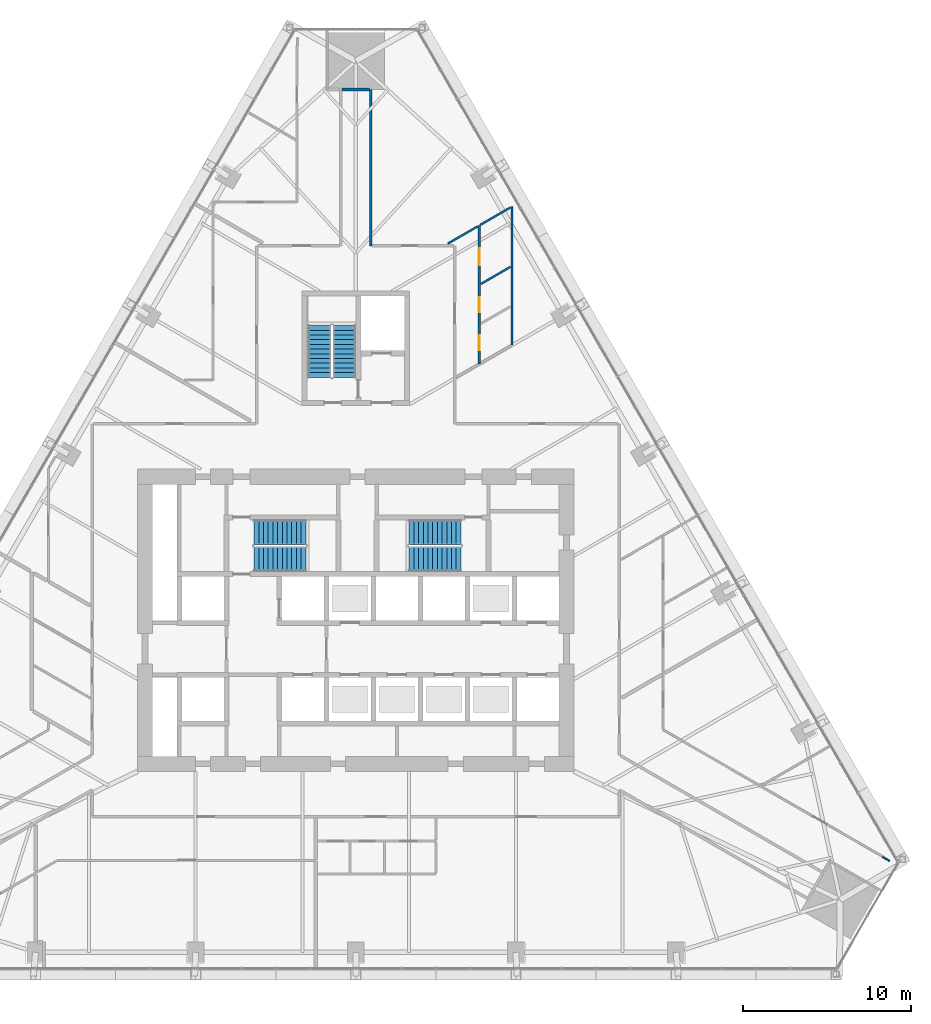
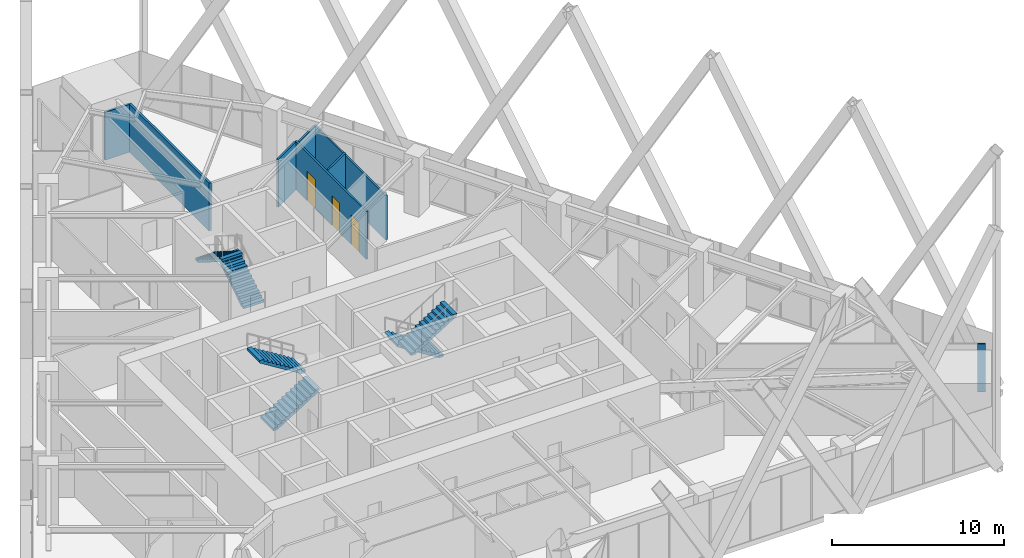
# One storey, part 21 of 23: 8 walls, 6 stair flights, 3 doors, 3 openings, 3 elements without a shape of their own.
"""IFC4 building model written with IfcOpenShell, lengths in metres."""

import ifcopenshell
import ifcopenshell.guid

model = None  # the IFC model being written
_history = None  # IfcOwnerHistory: only IFC2X3 demands one
_inside = {}  # id of a spatial element -> (the spatial element, [elements in it])
_under = {}  # id of a project, library or spatial element -> (it, [spatial elements below it])
_declared = {}  # id of a project -> (the project, [libraries it declares])
_typed = {}  # id of a type object -> (the type object, [elements of that type])
_made_of = {}  # id of a material, layer set ... -> (it, [elements and type objects made of it])


def new_model(schema):
    """Start an empty IFC model of exactly this schema.

    Asked for "IFC4X3", IfcOpenShell would pick the latest addendum, in which some entities
    have other attributes; the version numbers below select the first issue.
    IFC2X3 requires an IfcOwnerHistory on every rooted entity: one is made here for all.
    """
    global model, _history
    if schema == "IFC4X3":
        model = ifcopenshell.file(schema_version=(4, 3, 0, 0))
    else:
        model = ifcopenshell.file(schema=schema)
    _inside.clear()
    _under.clear()
    _declared.clear()
    _typed.clear()
    _made_of.clear()
    _history = None
    if model.schema == "IFC2X3":
        org = make("IfcOrganization", Name="unknown")
        user = make(
            "IfcPersonAndOrganization",
            ThePerson=make("IfcPerson", FamilyName="unknown"),
            TheOrganization=org,
        )
        app = make(
            "IfcApplication",
            ApplicationDeveloper=org,
            Version="unknown",
            ApplicationFullName="unknown",
            ApplicationIdentifier="unknown",
        )
        _history = make(
            "IfcOwnerHistory",
            OwningUser=user,
            OwningApplication=app,
            ChangeAction="ADDED",
            CreationDate=0,
        )
    return model


def make(cls, **values):
    """One entity of the class cls with the attributes given. An attribute that is None is left unset."""
    return model.create_entity(
        cls, **{name: value for name, value in values.items() if value is not None}
    )


def rooted(cls, **values):
    """An entity with a GlobalId (a new one), such as an element, a storey or a relation."""
    return make(cls, GlobalId=ifcopenshell.guid.new(), OwnerHistory=_history, **values)


def si_unit(unit_type, name, prefix=None):
    """IfcSIUnit, for example si_unit("LENGTHUNIT", "METRE", prefix="MILLI")."""
    return make("IfcSIUnit", UnitType=unit_type, Prefix=prefix, Name=name)


def assignment(units):
    """IfcUnitAssignment: the units of a project."""
    return None if units is None else make("IfcUnitAssignment", Units=units)


def point(xyz):
    """IfcCartesianPoint."""
    return None if xyz is None else make("IfcCartesianPoint", Coordinates=xyz)


def direction(xyz):
    """IfcDirection."""
    return None if xyz is None else make("IfcDirection", DirectionRatios=xyz)


def frame(location, z_axis=None, x_axis=None):
    """IfcAxis2Placement3D, a coordinate frame: its origin and axes. An axis left out is left unset."""
    return make(
        "IfcAxis2Placement3D",
        Location=point(location),
        Axis=direction(z_axis),
        RefDirection=direction(x_axis),
    )


def frame_2d(location, x_axis=None):
    """IfcAxis2Placement2D, a coordinate frame in the plane: its origin and x axis."""
    return make(
        "IfcAxis2Placement2D", Location=point(location), RefDirection=direction(x_axis)
    )


def origin():
    """The frame at (0, 0, 0) with its axes left unset."""
    return frame((0.0, 0.0, 0.0))


def place(relative_to, where):
    """IfcLocalPlacement: puts the frame where relative to a parent placement (None: the world)."""
    return make(
        "IfcLocalPlacement", PlacementRelTo=relative_to, RelativePlacement=where
    )


def context(
    kind, dimensions, precision=None, world=None, true_north=None, identifier=None
):
    """IfcGeometricRepresentationContext, for example the 3D "Model" context."""
    return make(
        "IfcGeometricRepresentationContext",
        ContextIdentifier=identifier,
        ContextType=kind,
        CoordinateSpaceDimension=dimensions,
        Precision=precision,
        WorldCoordinateSystem=world,
        TrueNorth=true_north,
    )


def subcontext(parent, identifier, kind, view, scale=None):
    """IfcGeometricRepresentationSubContext, for example "Body" below "Model"."""
    return make(
        "IfcGeometricRepresentationSubContext",
        ContextIdentifier=identifier,
        ContextType=kind,
        ParentContext=parent,
        TargetScale=scale,
        TargetView=view,
    )


def project(units=None, contexts=None):
    """IfcProject with its units and contexts."""
    return rooted(
        "IfcProject",
        Name="project",
        RepresentationContexts=contexts,
        UnitsInContext=assignment(units),
    )


def spatial(cls, under=None, at=None, **own):
    """A site, building, storey or space (cls), placed at a placement, below another one or the project."""
    s = rooted(cls, ObjectPlacement=at, **own)
    if under is not None:
        _under.setdefault(under.id(), (under, []))[1].append(s)
    return s


def polyline(points):
    """IfcPolyline through the points."""
    return make("IfcPolyline", Points=[point(p) for p in points])


def profile(cls, at=None, kind="AREA", **sizes):
    """A parametric profile (cls). Its sizes go by their IFC names, for example OverallWidth=200.0."""
    return make(cls, ProfileType=kind, Position=at, **sizes)


def rectangle(**sizes):
    """IfcRectangleProfileDef."""
    return profile("IfcRectangleProfileDef", **sizes)


def outline(outer, holes=None, kind="AREA"):
    """IfcArbitraryClosedProfileDef: a profile drawn as a closed curve; with holes, ...WithVoids."""
    if holes is None:
        return make("IfcArbitraryClosedProfileDef", ProfileType=kind, OuterCurve=outer)
    return make(
        "IfcArbitraryProfileDefWithVoids",
        ProfileType=kind,
        OuterCurve=outer,
        InnerCurves=holes,
    )


def extrude(swept, where, along, depth):
    """IfcExtrudedAreaSolid: the profile swept, set in the frame where, extruded along a direction by depth."""
    return make(
        "IfcExtrudedAreaSolid",
        SweptArea=swept,
        Position=where,
        ExtrudedDirection=direction(along),
        Depth=depth,
    )


def shape(context_of_items, identifier, shape_type, items):
    """IfcShapeRepresentation: the items that make up one representation, for example the "Body"."""
    return make(
        "IfcShapeRepresentation",
        ContextOfItems=context_of_items,
        RepresentationIdentifier=identifier,
        RepresentationType=shape_type,
        Items=items,
    )


def material(Name=None, Category=None):
    """IfcMaterial."""
    return make("IfcMaterial", Name=Name, Category=Category)


def layer(
    of_material, thickness, ventilated=None, Name=None, Category=None, Priority=None
):
    """IfcMaterialLayer: one layer of a wall or slab, of a material (None: an air gap)."""
    return make(
        "IfcMaterialLayer",
        Material=of_material,
        LayerThickness=thickness,
        IsVentilated=ventilated,
        Name=Name,
        Category=Category,
        Priority=Priority,
    )


def layer_set(layers, Name=None):
    """IfcMaterialLayerSet."""
    return make("IfcMaterialLayerSet", MaterialLayers=layers, LayerSetName=Name)


def made_of(thing, what):
    """Note that an element or type object is made of a material, layer set ...; save() writes the relation."""
    if what is not None:
        _made_of.setdefault(what.id(), (what, []))[1].append(thing)
    return thing


def type_object(cls, material=None, **own):
    """A type object (cls), such as IfcWallType, which elements share."""
    return made_of(rooted(cls, **own), material)


def element(
    cls,
    number,
    at=None,
    inside=None,
    cuts=None,
    type_object=None,
    material=None,
    context=None,
    identifier="Body",
    shape_type=None,
    held_by="IfcProductDefinitionShape",
    body=None,
    shapes=None,
    **own,
):
    """One element of the class cls, such as IfcWall. Its Tag is "e" and its number.

    at: its placement. inside: the storey or other place that contains it. cuts: it is an
    opening in that element (IfcRelVoidsElement). A single representation is given by context,
    identifier, shape_type and body (its items); several are given by shapes. held_by: the class
    of the entity that holds the representations. save() writes the other relations.
    """
    e = rooted(cls, Tag="e%d" % number, ObjectPlacement=at, **own)
    if body is not None:
        shapes = [shape(context, identifier, shape_type, body)]
    if shapes is not None:
        e.Representation = make(held_by, Representations=shapes)
    if inside is not None:
        _inside.setdefault(inside.id(), (inside, []))[1].append(e)
    if cuts is not None:
        rooted(
            "IfcRelVoidsElement", RelatingBuildingElement=cuts, RelatedOpeningElement=e
        )
    if type_object is not None:
        _typed.setdefault(type_object.id(), (type_object, []))[1].append(e)
    return made_of(e, material)


def fill(opening, filler):
    """IfcRelFillsElement: the door or window that sits in an opening."""
    return rooted(
        "IfcRelFillsElement",
        RelatingOpeningElement=opening,
        RelatedBuildingElement=filler,
    )


def aggregate(whole, parts):
    """IfcRelAggregates: a whole, such as a stair, and the parts it consists of."""
    return rooted("IfcRelAggregates", RelatingObject=whole, RelatedObjects=parts)


def save(model, path):
    """Write the relations noted so far, then the file.

    IfcRelAggregates (storeys below a building ...), IfcRelContainedInSpatialStructure (elements
    in a storey), IfcRelDefinesByType, IfcRelAssociatesMaterial and IfcRelDeclares: one each for
    every whole, place, type object, material and project.
    """
    for whole, parts in _under.values():
        aggregate(whole, parts)
    for where, things in _inside.values():
        rooted(
            "IfcRelContainedInSpatialStructure",
            RelatedElements=things,
            RelatingStructure=where,
        )
    for kind, things in _typed.values():
        rooted("IfcRelDefinesByType", RelatedObjects=things, RelatingType=kind)
    for what, things in _made_of.values():
        rooted("IfcRelAssociatesMaterial", RelatedObjects=things, RelatingMaterial=what)
    for by, libraries in _declared.values():
        rooted("IfcRelDeclares", RelatingContext=by, RelatedDefinitions=libraries)
    model.write(path)


model = new_model("IFC4")

# Units and contexts
model_context = context("Model", 3, precision=1e-05, world=origin(), true_north=direction((0.0, 1.0)))
body_context = subcontext(model_context, "Body", "Model", "MODEL_VIEW")
ifc_project = project(units=[si_unit("LENGTHUNIT", "METRE"), si_unit("AREAUNIT", "SQUARE_METRE"), si_unit("VOLUMEUNIT", "CUBIC_METRE"), si_unit("PLANEANGLEUNIT", "RADIAN"), si_unit("MASSUNIT", "GRAM", prefix="KILO")], contexts=[model_context])

# Site, building, storey
site_placement = place(None, origin())
site = spatial("IfcSite", under=ifc_project, at=site_placement, CompositionType="ELEMENT")
building_placement = place(site_placement, origin())
building = spatial("IfcBuilding", under=site, at=building_placement, Name="Firuza Gate Tower and Library", CompositionType="ELEMENT")
storey_placement = place(building_placement, frame((0.0, 0.0, 56.800048828125)))
storey = spatial("IfcBuildingStorey", under=building, at=storey_placement, Name="L12", CompositionType="ELEMENT", Elevation=56.800048828125)

# Walls
ifc_material_1 = material(Name="Gypsum board partition")
ifc_layer_1 = layer(ifc_material_1, 0.14990234375)
ifc_layer_set_1 = layer_set([ifc_layer_1], Name="Corridor wall 150 double board on steel studs")
wall_type_1 = type_object("IfcWallType", Name="Corridor wall 150 double board on steel studs", PredefinedType="PARTITIONING", material=ifc_layer_set_1)
wall_1_placement = place(storey_placement, frame((75.89990234375, 97.300048828125, 0.0), z_axis=(0.0, 0.0, 1.0), x_axis=(0.0, 1.0, 0.0)))
element("IfcWall", 1, at=wall_1_placement, inside=storey, type_object=wall_type_1, Name="f:L12:w036", PredefinedType="PARTITIONING", context=body_context, shape_type="SweptSolid", body=[
    extrude(rectangle(XDim=9.30615234375, YDim=0.14990234375, at=frame_2d((4.653076171875, 0.0))), origin(), (0.0, 0.0, 1.0), 3.39990234375),
])
wall_2_placement = place(storey_placement, frame((74.175048828125, 106.60693359375, 0.0), z_axis=(0.0, 0.0, 1.0), x_axis=(1.0, 0.0, 0.0)))
element("IfcWall", 2, at=wall_2_placement, inside=storey, type_object=wall_type_1, Name="f:L12:w068", PredefinedType="PARTITIONING", context=body_context, shape_type="SweptSolid", body=[
    extrude(rectangle(XDim=1.6494140625, YDim=0.14990234375, at=frame_2d((0.82470703125, 0.0))), origin(), (0.0, 0.0, 1.0), 3.39697265625),
])
ifc_material_2 = material(Name="Gypsum board partition")
ifc_layer_2 = layer(ifc_material_2, 0.10009765625)
ifc_layer_set_2 = layer_set([ifc_layer_2], Name="Partition 100 gypsum board on steel studs")
wall_type_2 = type_object("IfcWallType", Name="Partition 100 gypsum board on steel studs", PredefinedType="PARTITIONING", material=ifc_layer_set_2)
wall_3_placement = place(storey_placement, frame((106.774169921875, 60.6748046875, 0.0), z_axis=(0.0, 0.0, 1.0), x_axis=(-0.865979310119, 0.500079828073, 0.0)))
element("IfcWall", 3, at=wall_3_placement, inside=storey, type_object=wall_type_2, Name="f:L12:w058", PredefinedType="PARTITIONING", context=body_context, shape_type="SweptSolid", body=[
    extrude(rectangle(XDim=0.47314453125, YDim=0.10009765625, at=frame_2d((0.236572265625, 0.0))), origin(), (0.0, 0.0, 1.0), 3.39990234375),
])
ifc_material_3 = material(Name="Gypsum board partition")
ifc_layer_3 = layer(ifc_material_3, 0.1201171875)
ifc_layer_set_3 = layer_set([ifc_layer_3], Name="Wet-area partition 120 moisture-resistant board")
wall_type_3 = type_object("IfcWallType", Name="Wet-area partition 120 moisture-resistant board", PredefinedType="PARTITIONING", material=ifc_layer_set_3)
wall_4_placement = place(storey_placement, frame((82.4443359375, 95.0263671875, 0.0), z_axis=(0.0, 0.0, 1.0), x_axis=(0.866017611601, 0.500013496215, 0.0)))
element("IfcWall", 4, at=wall_4_placement, inside=storey, type_object=wall_type_3, Name="f:L12:w024", PredefinedType="PARTITIONING", context=body_context, shape_type="SweptSolid", body=[
    extrude(rectangle(XDim=2.033203125, YDim=0.1201171875, at=frame_2d((1.0166015625, 0.0))), origin(), (0.0, 0.0, 1.0), 3.39990234375),
])
wall_5_placement = place(storey_placement, frame((80.4794921875, 97.429931640625, 0.0), z_axis=(0.0, 0.0, 1.0), x_axis=(0.866057052383, 0.499945179012, 0.0)))
element("IfcWall", 5, at=wall_5_placement, inside=storey, type_object=wall_type_3, Name="f:L12:w025", PredefinedType="PARTITIONING", context=body_context, shape_type="SweptSolid", body=[
    extrude(rectangle(XDim=2.055908203125, YDim=0.1201171875, at=frame_2d((1.02783203125, 0.0))), origin(), (0.0, 0.0, 1.0), 3.39990234375),
])
wall_6_placement = place(storey_placement, frame((84.300048828125, 91.37890625, 0.0), z_axis=(0.0, 0.0, 1.0), x_axis=(0.0, 1.0, 0.0)))
element("IfcWall", 6, at=wall_6_placement, inside=storey, type_object=wall_type_3, Name="f:L12:w031", PredefinedType="PARTITIONING", context=body_context, shape_type="SweptSolid", body=[
    extrude(rectangle(XDim=8.255126953125, YDim=0.1201171875, at=frame_2d((4.12744140625, 0.0))), origin(), (0.0, 0.0, 1.0), 3.1650390625),
])

# Wall, openings, doors
wall_7_placement = place(storey_placement, frame((82.35009765625, 90.2529296875, 0.0), z_axis=(0.0, 0.0, 1.0), x_axis=(0.0, 1.0, 0.0)))
wall_7 = element("IfcWall", 7, at=wall_7_placement, inside=storey, type_object=wall_type_3, Name="f:L12:w032", PredefinedType="PARTITIONING", context=body_context, shape_type="SweptSolid", body=[
    extrude(rectangle(XDim=8.257080078125, YDim=0.1201171875, at=frame_2d((4.12841796875, 0.0))), origin(), (0.0, 0.0, 1.0), 3.39990234375),
])
opening_1_placement = place(wall_7_placement, frame((0.831298828125, 0.0, 0.0)))
opening_1 = element("IfcOpeningElement", 8, at=opening_1_placement, cuts=wall_7, Name="Opening L12-22", PredefinedType="OPENING", context=body_context, shape_type="SweptSolid", body=[
    extrude(rectangle(XDim=0.89990234375, YDim=2.10009765625, at=frame_2d((0.449951171875, 1.050048828125))), frame((0.0, 0.070068359375, 0.0), z_axis=(0.0, -1.0, 0.0), x_axis=(1.0, 0.0, 0.0)), (0.0, 0.0, 1.0), 0.14013671875),
])
opening_2_placement = place(wall_7_placement, frame((3.0888671875, 0.0, 0.0)))
opening_2 = element("IfcOpeningElement", 9, at=opening_2_placement, cuts=wall_7, Name="Opening L12-23", PredefinedType="OPENING", context=body_context, shape_type="SweptSolid", body=[
    extrude(rectangle(XDim=0.89990234375, YDim=2.10009765625, at=frame_2d((0.449951171875, 1.050048828125))), frame((0.0, 0.070068359375, 0.0), z_axis=(0.0, -1.0, 0.0), x_axis=(1.0, 0.0, 0.0)), (0.0, 0.0, 1.0), 0.14013671875),
])
opening_3_placement = place(wall_7_placement, frame((5.88623046875, 0.0, 0.0)))
opening_3 = element("IfcOpeningElement", 10, at=opening_3_placement, cuts=wall_7, Name="Opening L12-24", PredefinedType="OPENING", context=body_context, shape_type="SweptSolid", body=[
    extrude(rectangle(XDim=1.0, YDim=2.10009765625, at=frame_2d((0.5, 1.050048828125))), frame((0.0, 0.070068359375, 0.0), z_axis=(0.0, -1.0, 0.0), x_axis=(1.0, 0.0, 0.0)), (0.0, 0.0, 1.0), 0.14013671875),
])
ifc_material_4 = material(Name="Timber door", Category="wood")
door_type_1 = type_object("IfcDoorType", Name="Door 1000 x 2100 timber leaf", OperationType="NOTDEFINED", PredefinedType="DOOR", material=ifc_material_4)
door_1_placement = place(opening_3_placement, origin())
door_1 = element("IfcDoor", 11, at=door_1_placement, inside=storey, type_object=door_type_1, Name="f:L12:d024", OperationType="SINGLE_SWING_RIGHT", OverallHeight=2.10009765625, OverallWidth=1.0, PredefinedType="DOOR", context=body_context, shape_type="SweptSolid", body=[
    extrude(rectangle(XDim=1.0, YDim=2.10009765625, at=frame_2d((0.5, 1.050048828125))), frame((0.0, 0.02490234375, 0.0), z_axis=(0.0, -1.0, 0.0), x_axis=(1.0, 0.0, 0.0)), (0.0, 0.0, 1.0), 0.050048828125),
])
fill(opening_3, door_1)
ifc_material_5 = material(Name="Timber door", Category="wood")
door_type_2 = type_object("IfcDoorType", Name="Door 900 x 2100 timber leaf", OperationType="NOTDEFINED", PredefinedType="DOOR", material=ifc_material_5)
door_2_placement = place(opening_1_placement, origin())
door_2 = element("IfcDoor", 12, at=door_2_placement, inside=storey, type_object=door_type_2, Name="f:L12:d022", OperationType="SINGLE_SWING_RIGHT", OverallHeight=2.10009765625, OverallWidth=0.89990234375, PredefinedType="DOOR", context=body_context, shape_type="SweptSolid", body=[
    extrude(rectangle(XDim=0.89990234375, YDim=2.10009765625, at=frame_2d((0.449951171875, 1.050048828125))), frame((0.0, 0.02490234375, 0.0), z_axis=(0.0, -1.0, 0.0), x_axis=(1.0, 0.0, 0.0)), (0.0, 0.0, 1.0), 0.050048828125),
])
fill(opening_1, door_2)
door_3_placement = place(opening_2_placement, origin())
door_3 = element("IfcDoor", 13, at=door_3_placement, inside=storey, type_object=door_type_2, Name="f:L12:d023", OperationType="SINGLE_SWING_LEFT", OverallHeight=2.10009765625, OverallWidth=0.89990234375, PredefinedType="DOOR", context=body_context, shape_type="SweptSolid", body=[
    extrude(rectangle(XDim=0.89990234375, YDim=2.10009765625, at=frame_2d((0.449951171875, 1.050048828125))), frame((0.0, 0.02490234375, 0.0), z_axis=(0.0, -1.0, 0.0), x_axis=(1.0, 0.0, 0.0)), (0.0, 0.0, 1.0), 0.050048828125),
])
fill(opening_2, door_3)

# Wall
wall_8_placement = place(storey_placement, frame((82.39501953125, 98.535888671875, 0.0), z_axis=(0.0, 0.0, 1.0), x_axis=(0.866041603473, 0.499971940267, 0.0)))
element("IfcWall", 14, at=wall_8_placement, inside=storey, type_object=wall_type_3, Name="f:L12:w074", PredefinedType="PARTITIONING", context=body_context, shape_type="SweptSolid", body=[
    extrude(rectangle(XDim=2.08935546875, YDim=0.1201171875, at=frame_2d((1.044677734375, 0.0))), origin(), (0.0, 0.0, 1.0), 3.1650390625),
])

# Stair, stair flights
ifc_material_6 = material(Name="Concrete C35/45", Category="concrete")
stair_type_1 = type_object("IfcStairType", Name="Exit stair ST14", PredefinedType="HALF_TURN_STAIR", material=ifc_material_6)
placement = place(storey_placement, origin())
stair_1 = element("IfcStair", 15, at=placement, inside=storey, type_object=stair_type_1, Name="L12 Stair ST3", PredefinedType="HALF_TURN_STAIR")
ifc_material_7 = material(Name="Concrete C35/45", Category="concrete")
stair_flight_type_1 = type_object("IfcStairFlightType", Name="Stair flight 12 risers 175 width 1370", PredefinedType="STRAIGHT", material=ifc_material_7)
stair_flight_1_placement = place(storey_placement, frame((74.31494140625, 89.469970703125, 0.0), z_axis=(0.0, 0.0, 1.0), x_axis=(0.0, 1.0, 0.0)))
stair_flight_1 = element("IfcStairFlight", 16, at=stair_flight_1_placement, type_object=stair_flight_type_1, Name="ST3 flight 1", NumberOfRisers=12, NumberOfTreads=11, PredefinedType="STRAIGHT", RiserHeight=0.175, TreadLength=0.28, context=body_context, shape_type="SweptSolid", body=[
    extrude(outline(polyline([(0.0, 0.0), (0.0, 0.175048828125), (0.280029296875, 0.175048828125), (0.280029296875, 0.35009765625), (0.56005859375, 0.35009765625), (0.56005859375, 0.52490234375), (0.840087890625, 0.52490234375), (0.840087890625, 0.699951171875), (1.1201171875, 0.699951171875), (1.1201171875, 0.875), (1.39990234375, 0.875), (1.39990234375, 1.050048828125), (1.679931640625, 1.050048828125), (1.679931640625, 1.22509765625), (1.9599609375, 1.22509765625), (1.9599609375, 1.39990234375), (2.239990234375, 1.39990234375), (2.239990234375, 1.574951171875), (2.52001953125, 1.574951171875), (2.52001953125, 1.75), (2.800048828125, 1.75), (2.800048828125, 1.925048828125), (3.080078125, 1.925048828125), (3.080078125, 2.10009765625), (3.080078125, 1.748291015625), (0.28271484375, 0.0), (0.0, 0.0)])), frame((0.0, 0.68505859375, 0.0), z_axis=(0.0, -1.0, 0.0), x_axis=(1.0, 0.0, 0.0)), (0.0, 0.0, 1.0), 1.3701171875),
])
stair_flight_2_placement = place(storey_placement, frame((72.844970703125, 92.550048828125, 2.099853515625), z_axis=(0.0, 0.0, 1.0), x_axis=(0.0, -1.0, 0.0)))
stair_flight_2 = element("IfcStairFlight", 17, at=stair_flight_2_placement, type_object=stair_flight_type_1, Name="ST3 flight 2", NumberOfRisers=12, NumberOfTreads=11, PredefinedType="STRAIGHT", RiserHeight=0.175, TreadLength=0.28, context=body_context, shape_type="SweptSolid", body=[
    extrude(outline(polyline([(0.0, 0.0), (0.0, 0.175048828125), (0.280029296875, 0.175048828125), (0.280029296875, 0.35009765625), (0.56005859375, 0.35009765625), (0.56005859375, 0.52490234375), (0.840087890625, 0.52490234375), (0.840087890625, 0.699951171875), (1.1201171875, 0.699951171875), (1.1201171875, 0.875), (1.39990234375, 0.875), (1.39990234375, 1.050048828125), (1.679931640625, 1.050048828125), (1.679931640625, 1.22509765625), (1.9599609375, 1.22509765625), (1.9599609375, 1.39990234375), (2.239990234375, 1.39990234375), (2.239990234375, 1.574951171875), (2.52001953125, 1.574951171875), (2.52001953125, 1.75), (2.800048828125, 1.75), (2.800048828125, 1.925048828125), (3.080078125, 1.925048828125), (3.080078125, 2.10009765625), (3.080078125, 1.748291015625), (0.28271484375, 0.0), (0.0, 0.0)])), frame((0.0, 0.68505859375, 0.0), z_axis=(0.0, -1.0, 0.0), x_axis=(1.0, 0.0, 0.0)), (0.0, 0.0, 1.0), 1.3701171875),
])
aggregate(stair_1, [stair_flight_1, stair_flight_2])

ifc_material_8 = material(Name="Concrete C35/45", Category="concrete")
stair_type_2 = type_object("IfcStairType", Name="Exit stair ST5", PredefinedType="HALF_TURN_STAIR", material=ifc_material_8)
stair_2 = element("IfcStair", 18, at=placement, inside=storey, type_object=stair_type_2, Name="L12 Stair ST1", PredefinedType="HALF_TURN_STAIR")
ifc_material_9 = material(Name="Concrete C35/45", Category="concrete")
stair_flight_type_2 = type_object("IfcStairFlightType", Name="Stair flight 12 risers 175 width 1490", PredefinedType="STRAIGHT", material=ifc_material_9)
stair_flight_3_placement = place(storey_placement, frame((68.93994140625, 78.64501953125, 0.0), z_axis=(0.0, 0.0, 1.0), x_axis=(1.0, 0.0, 0.0)))
stair_flight_3 = element("IfcStairFlight", 19, at=stair_flight_3_placement, type_object=stair_flight_type_2, Name="ST1 flight 1", NumberOfRisers=12, NumberOfTreads=11, PredefinedType="STRAIGHT", RiserHeight=0.175, TreadLength=0.28, context=body_context, shape_type="SweptSolid", body=[
    extrude(outline(polyline([(0.0, 0.0), (0.0, 0.175048828125), (0.280029296875, 0.175048828125), (0.280029296875, 0.35009765625), (0.56005859375, 0.35009765625), (0.56005859375, 0.52490234375), (0.840087890625, 0.52490234375), (0.840087890625, 0.699951171875), (1.1201171875, 0.699951171875), (1.1201171875, 0.875), (1.39990234375, 0.875), (1.39990234375, 1.050048828125), (1.679931640625, 1.050048828125), (1.679931640625, 1.22509765625), (1.9599609375, 1.22509765625), (1.9599609375, 1.39990234375), (2.239990234375, 1.39990234375), (2.239990234375, 1.574951171875), (2.52001953125, 1.574951171875), (2.52001953125, 1.75), (2.800048828125, 1.75), (2.800048828125, 1.925048828125), (3.080078125, 1.925048828125), (3.080078125, 2.10009765625), (3.080078125, 1.748291015625), (0.28271484375, 0.0), (0.0, 0.0)])), frame((0.0, 0.7451171875, 0.0), z_axis=(0.0, -1.0, 0.0), x_axis=(1.0, 0.0, 0.0)), (0.0, 0.0, 1.0), 1.489990234375),
])
stair_flight_4_placement = place(storey_placement, frame((72.02001953125, 80.235107421875, 2.099853515625), z_axis=(0.0, 0.0, 1.0), x_axis=(-1.0, 0.0, 0.0)))
stair_flight_4 = element("IfcStairFlight", 20, at=stair_flight_4_placement, type_object=stair_flight_type_2, Name="ST1 flight 2", NumberOfRisers=12, NumberOfTreads=11, PredefinedType="STRAIGHT", RiserHeight=0.175, TreadLength=0.28, context=body_context, shape_type="SweptSolid", body=[
    extrude(outline(polyline([(0.0, 0.0), (0.0, 0.175048828125), (0.280029296875, 0.175048828125), (0.280029296875, 0.35009765625), (0.56005859375, 0.35009765625), (0.56005859375, 0.52490234375), (0.840087890625, 0.52490234375), (0.840087890625, 0.699951171875), (1.1201171875, 0.699951171875), (1.1201171875, 0.875), (1.39990234375, 0.875), (1.39990234375, 1.050048828125), (1.679931640625, 1.050048828125), (1.679931640625, 1.22509765625), (1.9599609375, 1.22509765625), (1.9599609375, 1.39990234375), (2.239990234375, 1.39990234375), (2.239990234375, 1.574951171875), (2.52001953125, 1.574951171875), (2.52001953125, 1.75), (2.800048828125, 1.75), (2.800048828125, 1.925048828125), (3.080078125, 1.925048828125), (3.080078125, 2.10009765625), (3.080078125, 1.748291015625), (0.28271484375, 0.0), (0.0, 0.0)])), frame((0.0, 0.7451171875, 0.0), z_axis=(0.0, -1.0, 0.0), x_axis=(1.0, 0.0, 0.0)), (0.0, 0.0, 1.0), 1.489990234375),
])
aggregate(stair_2, [stair_flight_3, stair_flight_4])

stair_3 = element("IfcStair", 21, at=placement, inside=storey, type_object=stair_type_2, Name="L12 Stair ST2", PredefinedType="HALF_TURN_STAIR")
stair_flight_5_placement = place(storey_placement, frame((81.260009765625, 80.235107421875, 0.0), z_axis=(0.0, 0.0, 1.0), x_axis=(-1.0, 0.0, 0.0)))
stair_flight_5 = element("IfcStairFlight", 22, at=stair_flight_5_placement, type_object=stair_flight_type_2, Name="ST2 flight 1", NumberOfRisers=12, NumberOfTreads=11, PredefinedType="STRAIGHT", RiserHeight=0.175, TreadLength=0.28, context=body_context, shape_type="SweptSolid", body=[
    extrude(outline(polyline([(0.0, 0.0), (0.0, 0.175048828125), (0.280029296875, 0.175048828125), (0.280029296875, 0.35009765625), (0.56005859375, 0.35009765625), (0.56005859375, 0.52490234375), (0.840087890625, 0.52490234375), (0.840087890625, 0.699951171875), (1.1201171875, 0.699951171875), (1.1201171875, 0.875), (1.39990234375, 0.875), (1.39990234375, 1.050048828125), (1.679931640625, 1.050048828125), (1.679931640625, 1.22509765625), (1.9599609375, 1.22509765625), (1.9599609375, 1.39990234375), (2.239990234375, 1.39990234375), (2.239990234375, 1.574951171875), (2.52001953125, 1.574951171875), (2.52001953125, 1.75), (2.800048828125, 1.75), (2.800048828125, 1.925048828125), (3.080078125, 1.925048828125), (3.080078125, 2.10009765625), (3.080078125, 1.748291015625), (0.28271484375, 0.0), (0.0, 0.0)])), frame((0.0, 0.7451171875, 0.0), z_axis=(0.0, -1.0, 0.0), x_axis=(1.0, 0.0, 0.0)), (0.0, 0.0, 1.0), 1.489990234375),
])
stair_flight_6_placement = place(storey_placement, frame((78.179931640625, 78.64501953125, 2.099853515625), z_axis=(0.0, 0.0, 1.0), x_axis=(1.0, 0.0, 0.0)))
stair_flight_6 = element("IfcStairFlight", 23, at=stair_flight_6_placement, type_object=stair_flight_type_2, Name="ST2 flight 2", NumberOfRisers=12, NumberOfTreads=11, PredefinedType="STRAIGHT", RiserHeight=0.175, TreadLength=0.28, context=body_context, shape_type="SweptSolid", body=[
    extrude(outline(polyline([(0.0, 0.0), (0.0, 0.175048828125), (0.280029296875, 0.175048828125), (0.280029296875, 0.35009765625), (0.56005859375, 0.35009765625), (0.56005859375, 0.52490234375), (0.840087890625, 0.52490234375), (0.840087890625, 0.699951171875), (1.1201171875, 0.699951171875), (1.1201171875, 0.875), (1.39990234375, 0.875), (1.39990234375, 1.050048828125), (1.679931640625, 1.050048828125), (1.679931640625, 1.22509765625), (1.9599609375, 1.22509765625), (1.9599609375, 1.39990234375), (2.239990234375, 1.39990234375), (2.239990234375, 1.574951171875), (2.52001953125, 1.574951171875), (2.52001953125, 1.75), (2.800048828125, 1.75), (2.800048828125, 1.925048828125), (3.080078125, 1.925048828125), (3.080078125, 2.10009765625), (3.080078125, 1.748291015625), (0.28271484375, 0.0), (0.0, 0.0)])), frame((0.0, 0.7451171875, 0.0), z_axis=(0.0, -1.0, 0.0), x_axis=(1.0, 0.0, 0.0)), (0.0, 0.0, 1.0), 1.489990234375),
])
aggregate(stair_3, [stair_flight_5, stair_flight_6])

save(model, "model.ifc")
